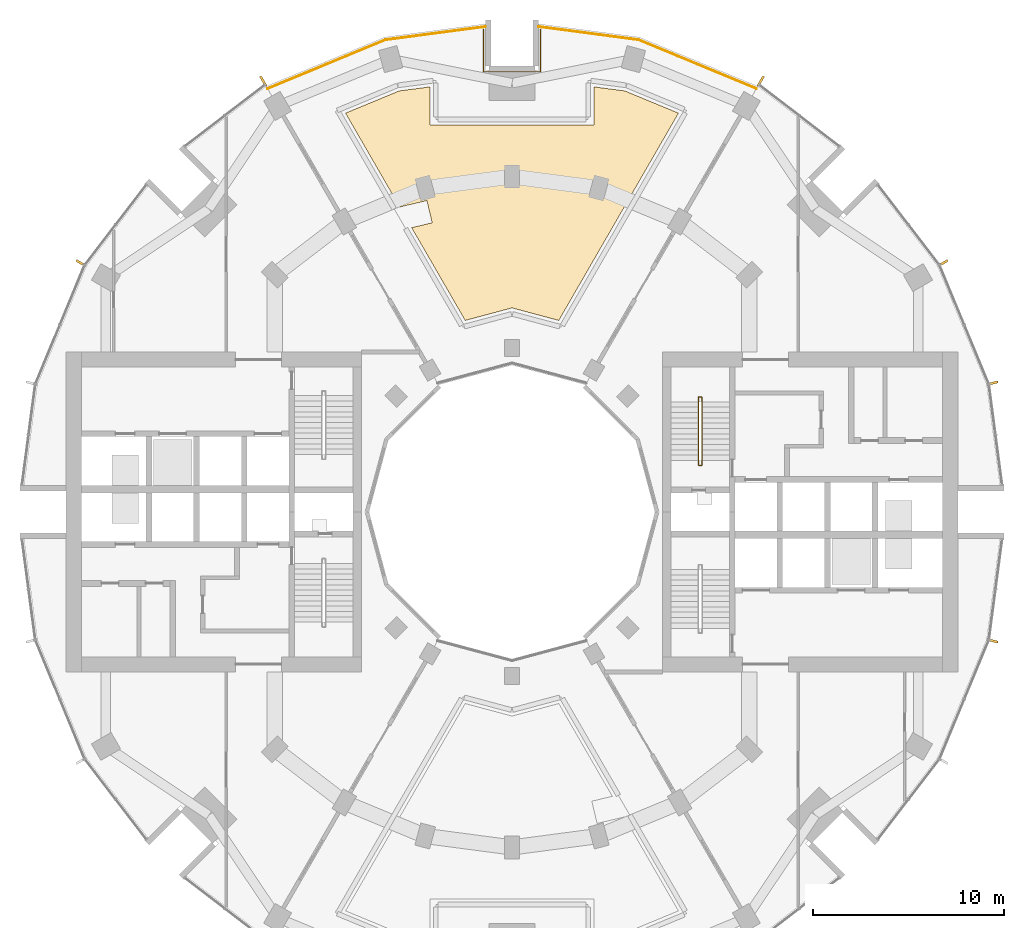
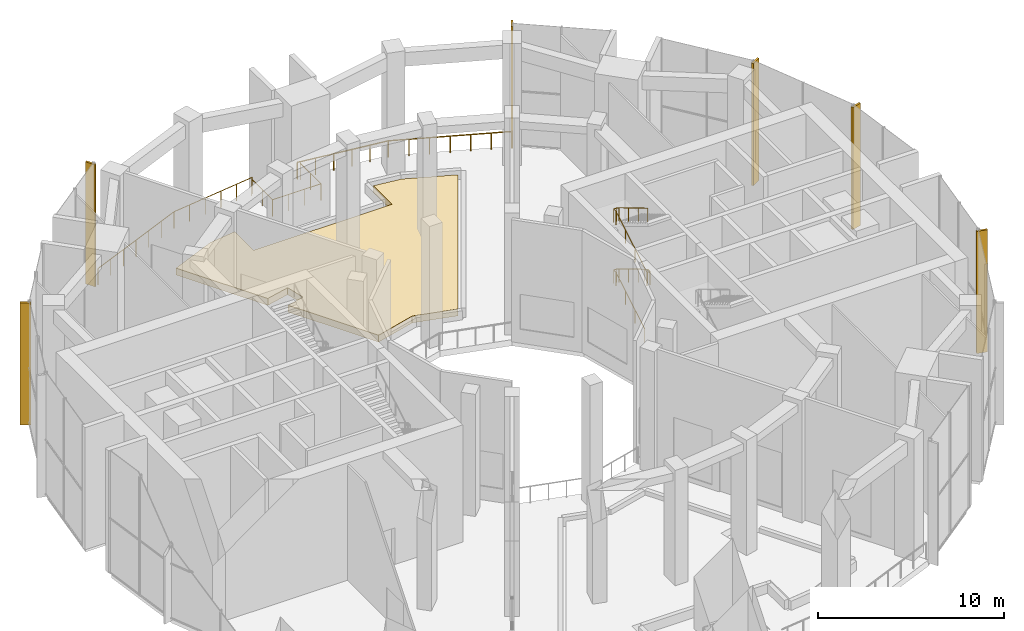
# One storey, part 17 of 18: 6 shading devices, 4 railings, 1 covering.
"""IFC4 building model written with IfcOpenShell, lengths in metres."""

from ifc_helpers import new_model, si_unit, direction, frame, origin, origin_2d, place, context, subcontext, project, spatial, polyline, rectangle, circle, outline, extrude, material, layer, layer_set, material_profile, profile_set, type_object, element, save


model = new_model("IFC4")

# Units and contexts
model_context = context("Model", 3, precision=1e-05, world=origin(), true_north=direction((0.0, 1.0)))
body_context = subcontext(model_context, "Body", "Model", "MODEL_VIEW")
ifc_project = project(units=[si_unit("LENGTHUNIT", "METRE"), si_unit("AREAUNIT", "SQUARE_METRE"), si_unit("VOLUMEUNIT", "CUBIC_METRE"), si_unit("PLANEANGLEUNIT", "RADIAN"), si_unit("MASSUNIT", "GRAM", prefix="KILO")], contexts=[model_context])

# Site, building, storey
site_placement = place(None, origin())
site = spatial("IfcSite", under=ifc_project, at=site_placement, CompositionType="ELEMENT")
building_placement = place(site_placement, origin())
building = spatial("IfcBuilding", under=site, at=building_placement, Name="Torre Brocal", CompositionType="ELEMENT")
storey_placement = place(building_placement, frame((0.0, 0.0, 74.39990234375)))
storey = spatial("IfcBuildingStorey", under=building, at=storey_placement, Name="L17", CompositionType="ELEMENT", Elevation=74.39990234375)

# Shading devices
ifc_material_1 = material(Name="Aluminium, black anodised", Category="aluminium")
ifc_material_profile = material_profile(ifc_material_1, rectangle(XDim=0.1201171875, YDim=0.60009765625, at=origin_2d()), Name="FIN 120X600 8000 HIGH")
ifc_profile_set = profile_set([ifc_material_profile], Name="Aluminium, black anodised")
shading_device_type = type_object("IfcShadingDeviceType", Name="FIN 120X600 8000 HIGH", PredefinedType="USERDEFINED", material=ifc_profile_set)
for number, where, z_axis, x_axis, name in (
    (1, (105.208984375, 81.754638671875, -0.14990234375), (0.0, 0.0, 1.0), (-0.258819045103, 0.965925826289, 0.0), "FIN"),
    (2, (102.601806640625, 88.049072265625, -0.14990234375), (0.0, 0.0, 1.0), (-0.5, 0.866025403784, 0.0), "FIN"),
    (3, (93.049072265625, 97.601806640625, -0.14990234375), (0.0, 0.0, 1.0), (-0.866025403784, 0.5, 0.0), "FIN"),
    (4, (66.950927734375, 97.601806640625, -0.14990234375), (0.0, 0.0, 1.0), (-0.866025403784, -0.5, 0.0), "FIN"),
    (5, (57.398193359375, 88.049072265625, -0.14990234375), (0.0, 0.0, 1.0), (-0.5, -0.866025403784, 0.0), "FIN"),
    (6, (105.208984375, 68.245361328125, -0.14990234375), (0.0, 0.0, 1.0), (0.258819045103, 0.965925826289, 0.0), "FIN"),
):
    element("IfcShadingDevice", number, at=place(storey_placement, frame(where, z_axis=z_axis, x_axis=x_axis)), inside=storey, type_object=shading_device_type, Name=name, ObjectType="FIN", PredefinedType="USERDEFINED", context=body_context, shape_type="SweptSolid", body=[
        extrude(rectangle(XDim=0.1201171875, YDim=0.60009765625, at=origin_2d()), origin(), (0.0, 0.0, 1.0), 8.0),
    ])

# Railings
ifc_material_2 = material(Name="Laminated glass", Category="glass")
railing_type_1 = type_object("IfcRailingType", Name="GLASS BALUSTRADE 1100", PredefinedType="BALUSTRADE", material=ifc_material_2)
railing_1_placement = place(storey_placement, frame((92.823486328125, 97.2109375, 0.0)))
element("IfcRailing", 7, at=railing_1_placement, inside=storey, type_object=railing_type_1, Name="GLASS BALUSTRADE", PredefinedType="BALUSTRADE", context=body_context, shape_type="SweptSolid", body=[
    extrude(circle(Radius=0.02392578125, at=origin_2d()), frame((0.0, 0.0, 1.076171875), z_axis=(-0.923873277269, 0.382698533507, 0.0), x_axis=(-0.382698533507, -0.923873277269, 0.0)), (0.0, 0.0, 1.0), 6.6953125),
    extrude(circle(Radius=0.02392578125, at=origin_2d()), frame((-6.185546875, 2.562255859375, 1.076171875), z_axis=(-0.991448474977, 0.130498741241, 0.0), x_axis=(-0.130498741241, -0.991448474977, 0.0)), (0.0, 0.0, 1.0), 5.283203125),
    extrude(circle(Radius=0.02099609375, at=origin_2d()), origin(), (0.0, 0.0, 1.0), 1.052001953125),
    extrude(circle(Radius=0.02099609375, at=origin_2d()), frame((-1.031005859375, 0.427001953125, 0.0)), (0.0, 0.0, 1.0), 1.052001953125),
    extrude(circle(Radius=0.02099609375, at=origin_2d()), frame((-2.061767578125, 0.85400390625, 0.0)), (0.0, 0.0, 1.0), 1.052001953125),
    extrude(circle(Radius=0.02099609375, at=origin_2d()), frame((-3.0927734375, 1.28125, 0.0)), (0.0, 0.0, 1.0), 1.052001953125),
    extrude(circle(Radius=0.02099609375, at=origin_2d()), frame((-4.123779296875, 1.708251953125, 0.0)), (0.0, 0.0, 1.0), 1.052001953125),
    extrude(circle(Radius=0.02099609375, at=origin_2d()), frame((-5.154541015625, 2.13525390625, 0.0)), (0.0, 0.0, 1.0), 1.052001953125),
    extrude(circle(Radius=0.02099609375, at=origin_2d()), frame((-6.185546875, 2.562255859375, 0.0)), (0.0, 0.0, 1.0), 1.052001953125),
    extrude(circle(Radius=0.02099609375, at=origin_2d()), frame((-7.233154296875, 2.7001953125, 0.0)), (0.0, 0.0, 1.0), 1.052001953125),
    extrude(circle(Radius=0.02099609375, at=origin_2d()), frame((-8.28076171875, 2.838134765625, 0.0)), (0.0, 0.0, 1.0), 1.052001953125),
    extrude(circle(Radius=0.02099609375, at=origin_2d()), frame((-9.328369140625, 2.975830078125, 0.0)), (0.0, 0.0, 1.0), 1.052001953125),
    extrude(circle(Radius=0.02099609375, at=origin_2d()), frame((-10.3759765625, 3.11376953125, 0.0)), (0.0, 0.0, 1.0), 1.052001953125),
    extrude(circle(Radius=0.02099609375, at=origin_2d()), frame((-11.423583984375, 3.251708984375, 0.0)), (0.0, 0.0, 1.0), 1.052001953125),
])
railing_2_placement = place(storey_placement, frame((78.60009765625, 100.462646484375, 0.0)))
element("IfcRailing", 8, at=railing_2_placement, inside=storey, type_object=railing_type_1, Name="GLASS BALUSTRADE", PredefinedType="BALUSTRADE", context=body_context, shape_type="SweptSolid", body=[
    extrude(circle(Radius=0.02392578125, at=origin_2d()), frame((0.0, 0.0, 1.076171875), z_axis=(-0.991448474977, -0.130498741241, 0.0), x_axis=(0.130498741241, -0.991448474977, 0.0)), (0.0, 0.0, 1.0), 5.283203125),
    extrude(circle(Radius=0.02392578125, at=origin_2d()), frame((-5.238037109375, -0.689453125, 1.076171875), z_axis=(-0.923873277269, -0.382698533507, 0.0), x_axis=(0.382698533507, -0.923873277269, 0.0)), (0.0, 0.0, 1.0), 6.6953125),
    extrude(circle(Radius=0.02099609375, at=origin_2d()), origin(), (0.0, 0.0, 1.0), 1.052001953125),
    extrude(circle(Radius=0.02099609375, at=origin_2d()), frame((-1.047607421875, -0.137939453125, 0.0)), (0.0, 0.0, 1.0), 1.052001953125),
    extrude(circle(Radius=0.02099609375, at=origin_2d()), frame((-2.09521484375, -0.27587890625, 0.0)), (0.0, 0.0, 1.0), 1.052001953125),
    extrude(circle(Radius=0.02099609375, at=origin_2d()), frame((-3.142822265625, -0.41357421875, 0.0)), (0.0, 0.0, 1.0), 1.052001953125),
    extrude(circle(Radius=0.02099609375, at=origin_2d()), frame((-4.1904296875, -0.551513671875, 0.0)), (0.0, 0.0, 1.0), 1.052001953125),
    extrude(circle(Radius=0.02099609375, at=origin_2d()), frame((-5.238037109375, -0.689453125, 0.0)), (0.0, 0.0, 1.0), 1.052001953125),
    extrude(circle(Radius=0.02099609375, at=origin_2d()), frame((-6.26904296875, -1.116455078125, 0.0)), (0.0, 0.0, 1.0), 1.052001953125),
    extrude(circle(Radius=0.02099609375, at=origin_2d()), frame((-7.2998046875, -1.54345703125, 0.0)), (0.0, 0.0, 1.0), 1.052001953125),
    extrude(circle(Radius=0.02099609375, at=origin_2d()), frame((-8.330810546875, -1.970703125, 0.0)), (0.0, 0.0, 1.0), 1.052001953125),
    extrude(circle(Radius=0.02099609375, at=origin_2d()), frame((-9.36181640625, -2.397705078125, 0.0)), (0.0, 0.0, 1.0), 1.052001953125),
    extrude(circle(Radius=0.02099609375, at=origin_2d()), frame((-10.392578125, -2.82470703125, 0.0)), (0.0, 0.0, 1.0), 1.052001953125),
    extrude(circle(Radius=0.02099609375, at=origin_2d()), frame((-11.423583984375, -3.251708984375, 0.0)), (0.0, 0.0, 1.0), 1.052001953125),
])
ifc_material_3 = material(Name="Steel A36", Category="steel")
railing_type_2 = type_object("IfcRailingType", Name="GUARD 1100", PredefinedType="GUARDRAIL", material=ifc_material_3)
railing_3_placement = place(storey_placement, frame((78.5, 100.328369140625, 0.0)))
element("IfcRailing", 9, at=railing_3_placement, inside=storey, type_object=railing_type_2, Name="GUARD", PredefinedType="GUARDRAIL", context=body_context, shape_type="SweptSolid", body=[
    extrude(circle(Radius=0.02392578125, at=origin_2d()), frame((0.0, 0.0, 1.076171875), z_axis=(0.0, -1.0, 0.0), x_axis=(1.0, 0.0, 0.0)), (0.0, 0.0, 1.0), 2.228271484375),
    extrude(circle(Radius=0.02392578125, at=origin_2d()), frame((0.0, -2.228271484375, 1.076171875), z_axis=(1.0, 0.0, 0.0), x_axis=(0.0, 1.0, 0.0)), (0.0, 0.0, 1.0), 3.0),
    extrude(circle(Radius=0.02392578125, at=origin_2d()), frame((3.0, -2.228271484375, 1.076171875), z_axis=(0.0, 1.0, 0.0), x_axis=(-1.0, 0.0, 0.0)), (0.0, 0.0, 1.0), 2.228271484375),
    extrude(circle(Radius=0.02099609375, at=origin_2d()), origin(), (0.0, 0.0, 1.0), 1.052001953125),
    extrude(circle(Radius=0.02099609375, at=origin_2d()), frame((0.0, -1.1142578125, 0.0)), (0.0, 0.0, 1.0), 1.052001953125),
    extrude(circle(Radius=0.02099609375, at=origin_2d()), frame((0.0, -2.228271484375, 0.0)), (0.0, 0.0, 1.0), 1.052001953125),
    extrude(circle(Radius=0.02099609375, at=origin_2d()), frame((1.0, -2.228271484375, 0.0)), (0.0, 0.0, 1.0), 1.052001953125),
    extrude(circle(Radius=0.02099609375, at=origin_2d()), frame((2.0, -2.228271484375, 0.0)), (0.0, 0.0, 1.0), 1.052001953125),
    extrude(circle(Radius=0.02099609375, at=origin_2d()), frame((3.0, -2.228271484375, 0.0)), (0.0, 0.0, 1.0), 1.052001953125),
    extrude(circle(Radius=0.02099609375, at=origin_2d()), frame((3.0, -1.1142578125, 0.0)), (0.0, 0.0, 1.0), 1.052001953125),
    extrude(circle(Radius=0.02099609375, at=origin_2d()), frame((3.0, 0.0, 0.0)), (0.0, 0.0, 1.0), 1.052001953125),
])

# Covering
ifc_material_4 = material(Name="Planting soil")
ifc_layer = layer(ifc_material_4, 0.449951171875)
ifc_layer_set = layer_set([ifc_layer], Name="Planting soil")
covering_type = type_object("IfcCoveringType", Name="PLANTING SOIL 450", PredefinedType="FLOORING", material=ifc_layer_set)
covering_placement = place(storey_placement, origin())
element("IfcCovering", 10, at=covering_placement, inside=storey, type_object=covering_type, Name="PLANTING SOIL", PredefinedType="FLOORING", context=body_context, shape_type="SweptSolid", body=[
    extrude(outline(polyline([(75.699951171875, 97.30712890625), (75.699951171875, 95.300048828125), (84.300048828125, 95.300048828125), (84.300048828125, 97.30712890625), (85.919921875, 97.09375), (88.734375, 95.92822265625), (82.45458984375, 85.051513671875), (80.0, 85.70947265625), (77.54541015625, 85.051513671875), (74.7353515625, 89.91845703125), (75.813232421875, 90.174560546875), (75.53564453125, 91.342041015625), (74.109375, 91.003173828125), (71.265625, 95.92822265625), (74.080078125, 97.09375), (75.699951171875, 97.30712890625)])), origin(), (0.0, 0.0, 1.0), 0.4501953125),
])

# Railing
ifc_material_5 = material(Name="Stainless steel AISI 316", Category="steel")
railing_type_3 = type_object("IfcRailingType", Name="STAIR HANDRAIL", PredefinedType="HANDRAIL", material=ifc_material_5)
railing_4_placement = place(storey_placement, frame((89.780029296875, 77.699951171875, 0.166748046875)))
element("IfcRailing", 11, at=railing_4_placement, inside=storey, type_object=railing_type_3, Name="HANDRAIL ST1", PredefinedType="HANDRAIL", context=body_context, shape_type="SweptSolid", body=[
    extrude(circle(Radius=0.02392578125, at=origin_2d()), frame((0.0, 0.0, 0.8759765625), z_axis=(0.0, 0.859308565015, 0.511457515432), x_axis=(-1.0, 0.0, 0.0)), (0.0, 0.0, 1.0), 3.58447265625),
    extrude(circle(Radius=0.02392578125, at=origin_2d()), frame((0.0, 3.080078125, 2.708984375), z_axis=(0.0, 1.0, 0.0), x_axis=(-1.0, 0.0, 0.0)), (0.0, 0.0, 1.0), 0.25),
    extrude(circle(Radius=0.02392578125, at=origin_2d()), frame((0.0, 3.330078125, 2.708984375), z_axis=(1.0, 0.0, 0.0), x_axis=(0.0, 1.0, 0.0)), (0.0, 0.0, 1.0), 0.18994140625),
    extrude(circle(Radius=0.02392578125, at=origin_2d()), frame((0.18994140625, 3.330078125, 2.708984375), z_axis=(0.0, -0.831925284441, 0.554887665306), x_axis=(1.0, 0.0, 0.0)), (0.0, 0.0, 1.0), 0.300537109375),
    extrude(circle(Radius=0.02392578125, at=origin_2d()), frame((0.18994140625, 3.080078125, 2.8759765625), z_axis=(0.0, -0.859308565015, 0.511457515432), x_axis=(1.0, 0.0, 0.0)), (0.0, 0.0, 1.0), 3.58447265625),
    extrude(circle(Radius=0.02392578125, at=origin_2d()), frame((0.18994140625, 0.0, 4.708984375), z_axis=(0.0, -1.0, 0.0), x_axis=(1.0, 0.0, 0.0)), (0.0, 0.0, 1.0), 0.25),
    extrude(circle(Radius=0.02392578125, at=origin_2d()), frame((0.18994140625, -0.25, 4.708984375), z_axis=(-1.0, 0.0, 0.0), x_axis=(0.0, -1.0, 0.0)), (0.0, 0.0, 1.0), 0.18994140625),
    extrude(circle(Radius=0.02392578125, at=origin_2d()), frame((0.0, -0.25, 4.708984375), z_axis=(0.0, 0.831925284441, 0.554887665306), x_axis=(-1.0, 0.0, 0.0)), (0.0, 0.0, 1.0), 0.300537109375),
    extrude(circle(Radius=0.02392578125, at=origin_2d()), frame((0.0, 0.0, 4.8759765625), z_axis=(0.0, 0.859308565015, 0.511457515432), x_axis=(-1.0, 0.0, 0.0)), (0.0, 0.0, 1.0), 3.58447265625),
    extrude(circle(Radius=0.02392578125, at=origin_2d()), frame((0.0, 3.080078125, 6.708984375), z_axis=(0.0, 1.0, 0.0), x_axis=(-1.0, 0.0, 0.0)), (0.0, 0.0, 1.0), 0.25),
    extrude(circle(Radius=0.02392578125, at=origin_2d()), frame((0.0, 3.330078125, 6.708984375), z_axis=(1.0, 0.0, 0.0), x_axis=(0.0, 1.0, 0.0)), (0.0, 0.0, 1.0), 0.18994140625),
    extrude(circle(Radius=0.02392578125, at=origin_2d()), frame((0.18994140625, 3.330078125, 6.708984375), z_axis=(0.0, -0.831925284441, 0.554887665306), x_axis=(1.0, 0.0, 0.0)), (0.0, 0.0, 1.0), 0.300537109375),
    extrude(circle(Radius=0.02392578125, at=origin_2d()), frame((0.18994140625, 3.080078125, 6.8759765625), z_axis=(0.0, -0.859308565015, 0.511457515432), x_axis=(1.0, 0.0, 0.0)), (0.0, 0.0, 1.0), 3.58447265625),
    extrude(circle(Radius=0.02099609375, at=origin_2d()), origin(), (0.0, 0.0, 1.0), 0.851806640625),
    extrude(circle(Radius=0.02099609375, at=origin_2d()), frame((0.0, 1.026611328125, 0.611083984375)), (0.0, 0.0, 1.0), 0.851806640625),
    extrude(circle(Radius=0.02099609375, at=origin_2d()), frame((0.0, 2.053466796875, 1.22216796875)), (0.0, 0.0, 1.0), 0.851806640625),
    extrude(circle(Radius=0.02099609375, at=origin_2d()), frame((0.0, 3.080078125, 1.833251953125)), (0.0, 0.0, 1.0), 0.851806640625),
    extrude(circle(Radius=0.02099609375, at=origin_2d()), frame((0.0, 3.330078125, 1.833251953125)), (0.0, 0.0, 1.0), 0.851806640625),
    extrude(circle(Radius=0.02099609375, at=origin_2d()), frame((0.18994140625, 3.330078125, 1.833251953125)), (0.0, 0.0, 1.0), 0.851806640625),
    extrude(circle(Radius=0.02099609375, at=origin_2d()), frame((0.18994140625, 3.080078125, 2.0)), (0.0, 0.0, 1.0), 0.851806640625),
    extrude(circle(Radius=0.02099609375, at=origin_2d()), frame((0.18994140625, 2.053466796875, 2.611083984375)), (0.0, 0.0, 1.0), 0.851806640625),
    extrude(circle(Radius=0.02099609375, at=origin_2d()), frame((0.18994140625, 1.026611328125, 3.22216796875)), (0.0, 0.0, 1.0), 0.851806640625),
    extrude(circle(Radius=0.02099609375, at=origin_2d()), frame((0.18994140625, 0.0, 3.833251953125)), (0.0, 0.0, 1.0), 0.851806640625),
    extrude(circle(Radius=0.02099609375, at=origin_2d()), frame((0.18994140625, -0.25, 3.833251953125)), (0.0, 0.0, 1.0), 0.851806640625),
    extrude(circle(Radius=0.02099609375, at=origin_2d()), frame((0.0, -0.25, 3.833251953125)), (0.0, 0.0, 1.0), 0.851806640625),
    extrude(circle(Radius=0.02099609375, at=origin_2d()), frame((0.0, 0.0, 4.0)), (0.0, 0.0, 1.0), 0.851806640625),
    extrude(circle(Radius=0.02099609375, at=origin_2d()), frame((0.0, 1.026611328125, 4.611083984375)), (0.0, 0.0, 1.0), 0.851806640625),
    extrude(circle(Radius=0.02099609375, at=origin_2d()), frame((0.0, 2.053466796875, 5.22216796875)), (0.0, 0.0, 1.0), 0.851806640625),
    extrude(circle(Radius=0.02099609375, at=origin_2d()), frame((0.0, 3.080078125, 5.833251953125)), (0.0, 0.0, 1.0), 0.851806640625),
    extrude(circle(Radius=0.02099609375, at=origin_2d()), frame((0.0, 3.330078125, 5.833251953125)), (0.0, 0.0, 1.0), 0.851806640625),
    extrude(circle(Radius=0.02099609375, at=origin_2d()), frame((0.18994140625, 3.330078125, 5.833251953125)), (0.0, 0.0, 1.0), 0.851806640625),
    extrude(circle(Radius=0.02099609375, at=origin_2d()), frame((0.18994140625, 3.080078125, 6.0)), (0.0, 0.0, 1.0), 0.851806640625),
    extrude(circle(Radius=0.02099609375, at=origin_2d()), frame((0.18994140625, 2.053466796875, 6.611083984375)), (0.0, 0.0, 1.0), 0.851806640625),
    extrude(circle(Radius=0.02099609375, at=origin_2d()), frame((0.18994140625, 1.026611328125, 7.22216796875)), (0.0, 0.0, 1.0), 0.851806640625),
    extrude(circle(Radius=0.02099609375, at=origin_2d()), frame((0.18994140625, 0.0, 7.833251953125)), (0.0, 0.0, 1.0), 0.851806640625),
])

save(model, "model.ifc")
